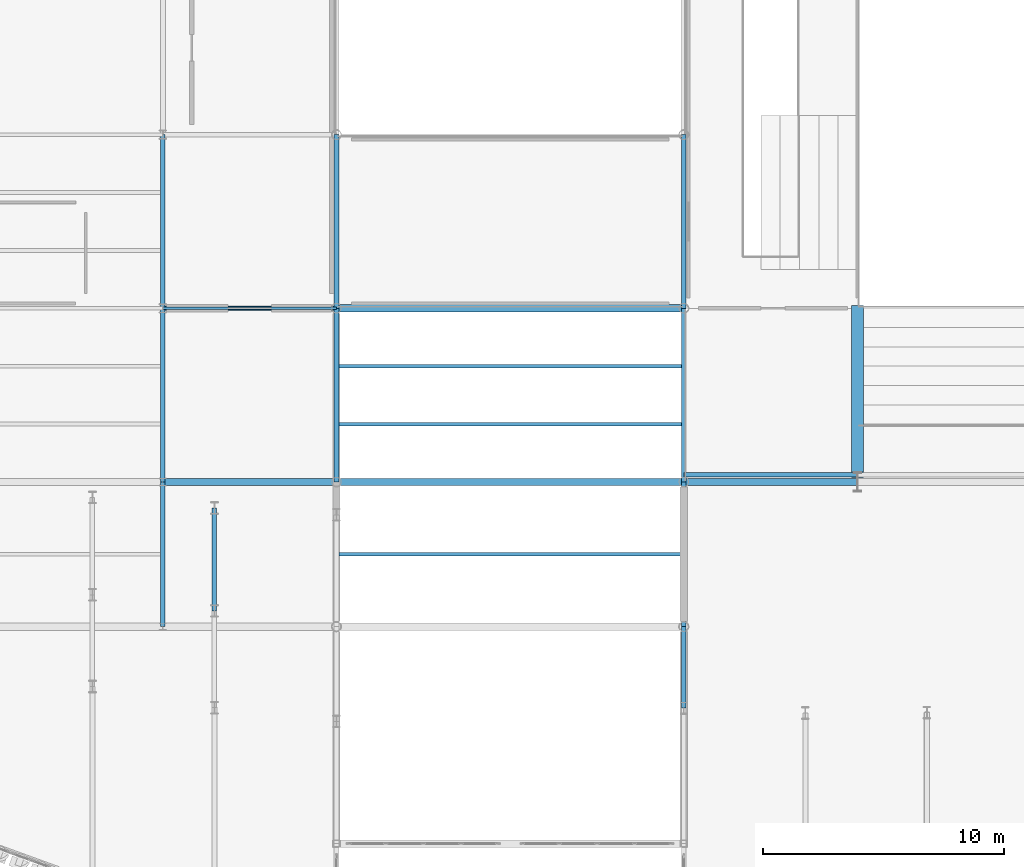
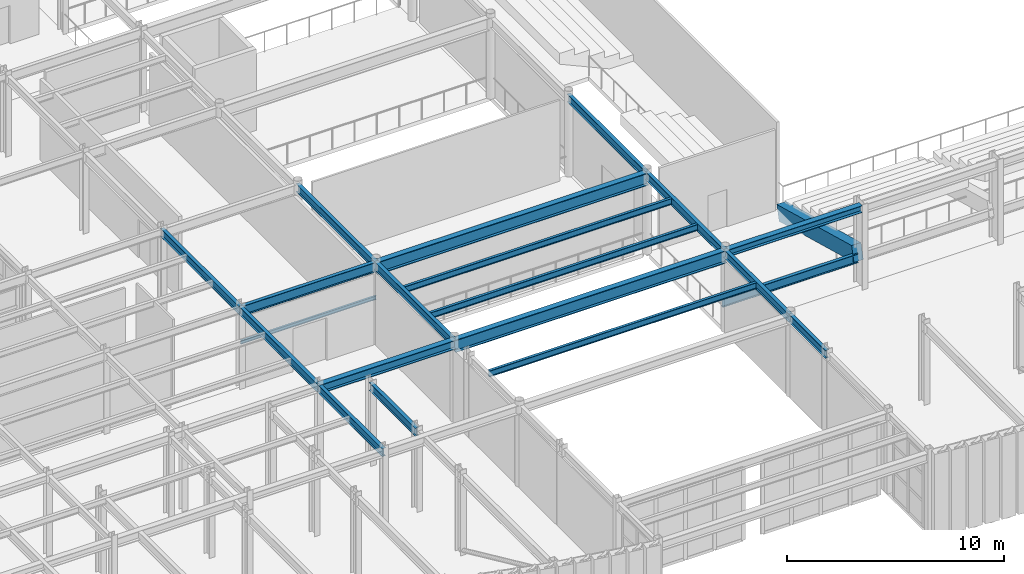
# One storey, part 45 of 121: 21 beams.
"""IFC4 building model written with IfcOpenShell, lengths in metres."""

from ifc_helpers import new_model, si_unit, direction, frame, origin, origin_2d, place, context, subcontext, project, spatial, rectangle, i_section, extrude, material, material_profile, profile_set, type_object, element, save


model = new_model("IFC4")

# Units and contexts
model_context = context("Model", 3, precision=1e-05, world=origin(), true_north=direction((0.0, 1.0)))
body_context = subcontext(model_context, "Body", "Model", "MODEL_VIEW")
ifc_project = project(units=[si_unit("LENGTHUNIT", "METRE"), si_unit("AREAUNIT", "SQUARE_METRE"), si_unit("VOLUMEUNIT", "CUBIC_METRE"), si_unit("PLANEANGLEUNIT", "RADIAN"), si_unit("MASSUNIT", "GRAM", prefix="KILO")], contexts=[model_context])

# Site, building, storey
site_placement = place(None, origin())
site = spatial("IfcSite", under=ifc_project, at=site_placement, CompositionType="ELEMENT")
building_placement = place(site_placement, origin())
building = spatial("IfcBuilding", under=site, at=building_placement, Name="Solvadek Multi-Sports Hall", CompositionType="ELEMENT")
storey_placement = place(building_placement, frame((0.0, 0.0, 4.800048828125)))
storey = spatial("IfcBuildingStorey", under=building, at=storey_placement, Name="L01", CompositionType="ELEMENT", Elevation=4.800048828125)

# Beams
ifc_material_1 = material(Name="Steel E350 (350 MPa)", Category="steel")
ifc_material_profile_1 = material_profile(ifc_material_1, i_section(OverallWidth=0.179931640625, OverallDepth=0.5, WebThickness=0.01025390625, FlangeThickness=0.01708984375, at=origin_2d()), Name="ISMB 500")
ifc_profile_set_1 = profile_set([ifc_material_profile_1], Name="Steel E350 (350 MPa)")
beam_type_1 = type_object("IfcBeamType", Name="STR-BM-ISMB500", PredefinedType="BEAM", material=ifc_profile_set_1)
beam_1_placement = place(storey_placement, frame((86.39990234375, 6.300048828125, 1.3798828125), z_axis=(1.0, 0.0, 0.0), x_axis=(0.0, 1.0, 0.0)))
element("IfcBeam", 1, at=beam_1_placement, inside=storey, type_object=beam_type_1, Name="L01 S Stand Raker Header Girder #1", PredefinedType="BEAM", context=body_context, shape_type="SweptSolid", body=[
    extrude(i_section(OverallWidth=0.179931640625, OverallDepth=0.5, WebThickness=0.01025390625, FlangeThickness=0.01708984375, at=origin_2d()), origin(), (0.0, 0.0, 1.0), 7.2001953125),
])
ifc_material_profile_2 = material_profile(ifc_material_1, i_section(OverallWidth=0.18994140625, OverallDepth=0.550048828125, WebThickness=0.01123046875, FlangeThickness=0.019287109375, at=origin_2d()), Name="ISMB 550")
ifc_profile_set_2 = profile_set([ifc_material_profile_2], Name="Steel E350 (350 MPa)")
beam_type_2 = type_object("IfcBeamType", Name="STR-BM-ISMB550", PredefinedType="BEAM", material=ifc_profile_set_2)
beam_2_placement = place(storey_placement, frame((64.800048828125, 13.199951171875, 4.284912109375), z_axis=(1.0, 0.0, 0.0), x_axis=(0.0, 1.0, 0.0)))
element("IfcBeam", 2, at=beam_2_placement, inside=storey, type_object=beam_type_2, Name="L01 Girder B-06 #967", PredefinedType="BEAM", context=body_context, shape_type="SweptSolid", body=[
    extrude(i_section(OverallWidth=0.18994140625, OverallDepth=0.550048828125, WebThickness=0.01123046875, FlangeThickness=0.019287109375, at=origin_2d()), origin(), (0.0, 0.0, 1.0), 7.199951171875),
])
ifc_material_profile_3 = material_profile(ifc_material_1, i_section(OverallWidth=0.18994140625, OverallDepth=0.449951171875, WebThickness=0.009521484375, FlangeThickness=0.0146484375, at=origin_2d()), Name="NPB 450")
ifc_profile_set_3 = profile_set([ifc_material_profile_3], Name="Steel E350 (350 MPa)")
beam_type_3 = type_object("IfcBeamType", Name="STR-BM-NPB450", PredefinedType="BEAM", material=ifc_profile_set_3)
beam_3_placement = place(storey_placement, frame((64.800048828125, 0.0, 4.3349609375), z_axis=(0.0, 1.0, 0.0), x_axis=(-1.0, 0.0, 0.0)))
element("IfcBeam", 3, at=beam_3_placement, inside=storey, type_object=beam_type_3, Name="L01 Girder B-08 #1227", PredefinedType="BEAM", context=body_context, shape_type="SweptSolid", body=[
    extrude(i_section(OverallWidth=0.18994140625, OverallDepth=0.449951171875, WebThickness=0.009521484375, FlangeThickness=0.0146484375, at=origin_2d()), origin(), (0.0, 0.0, 1.0), 6.0),
])
for number, where, z_axis, x_axis, name in (
    (4, (64.800048828125, 6.0, 4.3349609375), (0.0, 1.0, 0.0), (-1.0, 0.0, 0.0), "L01 Girder B-08 #1228"),
    (5, (64.800048828125, 13.199951171875, 4.3349609375), (0.0, 1.0, 0.0), (-1.0, 0.0, 0.0), "L01 Girder B-08 #1229"),
):
    element("IfcBeam", number, at=place(storey_placement, frame(where, z_axis=z_axis, x_axis=x_axis)), inside=storey, type_object=beam_type_3, Name=name, PredefinedType="BEAM", context=body_context, shape_type="SweptSolid", body=[
        extrude(i_section(OverallWidth=0.18994140625, OverallDepth=0.449951171875, WebThickness=0.009521484375, FlangeThickness=0.0146484375, at=origin_2d()), origin(), (0.0, 0.0, 1.0), 7.199951171875),
    ])
beam_4_placement = place(storey_placement, frame((66.939453125, 0.653076171875, 4.3349609375), z_axis=(0.0, 1.0, 0.0), x_axis=(-1.0, 0.0, 0.0)))
element("IfcBeam", 6, at=beam_4_placement, inside=storey, type_object=beam_type_3, Name="L01 Girder B-08 #1243", PredefinedType="BEAM", context=body_context, shape_type="SweptSolid", body=[
    extrude(i_section(OverallWidth=0.18994140625, OverallDepth=0.449951171875, WebThickness=0.009521484375, FlangeThickness=0.0146484375, at=origin_2d()), origin(), (0.0, 0.0, 1.0), 4.265869140625),
])
for number, where, z_axis, x_axis, name in (
    (7, (72.0, 6.0, 4.3349609375), (0.0, 1.0, 0.0), (-1.0, 0.0, 0.0), "L01 Girder B-08 #1248"),
    (8, (72.0, 13.199951171875, 4.3349609375), (0.0, 1.0, 0.0), (-1.0, 0.0, 0.0), "L01 Girder B-08 #1249"),
):
    element("IfcBeam", number, at=place(storey_placement, frame(where, z_axis=z_axis, x_axis=x_axis)), inside=storey, type_object=beam_type_3, Name=name, PredefinedType="BEAM", context=body_context, shape_type="SweptSolid", body=[
        extrude(i_section(OverallWidth=0.18994140625, OverallDepth=0.449951171875, WebThickness=0.009521484375, FlangeThickness=0.0146484375, at=origin_2d()), origin(), (0.0, 0.0, 1.0), 7.199951171875),
    ])
beam_5_placement = place(storey_placement, frame((86.39990234375, -3.37646484375, 4.3349609375), z_axis=(0.0, 1.0, 0.0), x_axis=(-1.0, 0.0, 0.0)))
element("IfcBeam", 9, at=beam_5_placement, inside=storey, type_object=beam_type_3, Name="L01 Girder B-08 #1264", PredefinedType="BEAM", context=body_context, shape_type="SweptSolid", body=[
    extrude(i_section(OverallWidth=0.18994140625, OverallDepth=0.449951171875, WebThickness=0.009521484375, FlangeThickness=0.0146484375, at=origin_2d()), origin(), (0.0, 0.0, 1.0), 3.37646484375),
])
beam_6_placement = place(storey_placement, frame((86.39990234375, 0.0, 4.3349609375), z_axis=(0.0, 1.0, 0.0), x_axis=(-1.0, 0.0, 0.0)))
element("IfcBeam", 10, at=beam_6_placement, inside=storey, type_object=beam_type_3, Name="L01 Girder B-08 #1265", PredefinedType="BEAM", context=body_context, shape_type="SweptSolid", body=[
    extrude(i_section(OverallWidth=0.18994140625, OverallDepth=0.449951171875, WebThickness=0.009521484375, FlangeThickness=0.0146484375, at=origin_2d()), origin(), (0.0, 0.0, 1.0), 6.0),
])
for number, where, z_axis, x_axis, name in (
    (11, (86.39990234375, 6.0, 4.3349609375), (0.0, 1.0, 0.0), (-1.0, 0.0, 0.0), "L01 Girder B-08 #1266"),
    (12, (86.39990234375, 13.199951171875, 4.3349609375), (0.0, 1.0, 0.0), (-1.0, 0.0, 0.0), "L01 Girder B-08 #1267"),
):
    element("IfcBeam", number, at=place(storey_placement, frame(where, z_axis=z_axis, x_axis=x_axis)), inside=storey, type_object=beam_type_3, Name=name, PredefinedType="BEAM", context=body_context, shape_type="SweptSolid", body=[
        extrude(i_section(OverallWidth=0.18994140625, OverallDepth=0.449951171875, WebThickness=0.009521484375, FlangeThickness=0.0146484375, at=origin_2d()), origin(), (0.0, 0.0, 1.0), 7.199951171875),
    ])
ifc_material_profile_4 = material_profile(ifc_material_1, i_section(OverallWidth=0.300048828125, OverallDepth=0.699951171875, WebThickness=0.01708984375, FlangeThickness=0.031982421875, at=origin_2d()), Name="WPB 700")
ifc_profile_set_4 = profile_set([ifc_material_profile_4], Name="Steel E350 (350 MPa)")
beam_type_4 = type_object("IfcBeamType", Name="STR-BM-WPB700", PredefinedType="BEAM", material=ifc_profile_set_4)
for number, where, z_axis, x_axis, name in (
    (13, (72.0, 6.0, 4.2099609375), (1.0, 0.0, 0.0), (0.0, 1.0, 0.0), "L01 Low Roof Girder B-01 #1"),
    (14, (72.0, 13.199951171875, 4.2099609375), (1.0, 0.0, 0.0), (0.0, 1.0, 0.0), "L01 Low Roof Girder B-01 #2"),
):
    element("IfcBeam", number, at=place(storey_placement, frame(where, z_axis=z_axis, x_axis=x_axis)), inside=storey, type_object=beam_type_4, Name=name, PredefinedType="BEAM", context=body_context, shape_type="SweptSolid", body=[
        extrude(i_section(OverallWidth=0.300048828125, OverallDepth=0.699951171875, WebThickness=0.01708984375, FlangeThickness=0.031982421875, at=origin_2d()), origin(), (0.0, 0.0, 1.0), 14.39990234375),
    ])
ifc_material_profile_5 = material_profile(ifc_material_1, i_section(OverallWidth=0.139892578125, OverallDepth=0.35009765625, WebThickness=0.008056640625, FlangeThickness=0.01416015625, at=origin_2d()), Name="ISMB 350")
ifc_profile_set_5 = profile_set([ifc_material_profile_5], Name="Steel E350 (350 MPa)")
beam_type_5 = type_object("IfcBeamType", Name="STR-JST-ISMB350", PredefinedType="JOIST", material=ifc_profile_set_5)
for number, where, z_axis, x_axis, name in (
    (15, (72.094970703125, 3.0, 4.385009765625), (1.0, 0.0, 0.0), (0.0, 1.0, 0.0), "L01 Low Roof Composite Joist J-01 #1"),
    (16, (72.094970703125, 8.39990234375, 4.385009765625), (1.0, 0.0, 0.0), (0.0, 1.0, 0.0), "L01 Low Roof Composite Joist J-01 #2"),
    (17, (72.094970703125, 10.800048828125, 4.385009765625), (1.0, 0.0, 0.0), (0.0, 1.0, 0.0), "L01 Low Roof Composite Joist J-01 #3"),
):
    element("IfcBeam", number, at=place(storey_placement, frame(where, z_axis=z_axis, x_axis=x_axis)), inside=storey, type_object=beam_type_5, Name=name, PredefinedType="JOIST", context=body_context, shape_type="SweptSolid", body=[
        extrude(i_section(OverallWidth=0.139892578125, OverallDepth=0.35009765625, WebThickness=0.008056640625, FlangeThickness=0.01416015625, at=origin_2d()), origin(), (0.0, 0.0, 1.0), 14.2099609375),
    ])
ifc_material_2 = material(Name="Steel E250 (250 MPa)", Category="steel")
ifc_material_profile_6 = material_profile(ifc_material_2, i_section(OverallWidth=0.10009765625, OverallDepth=0.199951171875, WebThickness=0.005615234375, FlangeThickness=0.0107421875, at=origin_2d()), Name="ISMB 200")
ifc_profile_set_6 = profile_set([ifc_material_profile_6], Name="Steel E250 (250 MPa)")
beam_type_6 = type_object("IfcBeamType", Name="STR-LIN-ISMB200", PredefinedType="LINTEL", material=ifc_profile_set_6)
beam_7_placement = place(storey_placement, frame((64.800048828125, 13.199951171875, 2.52001953125), z_axis=(1.0, 0.0, 0.0), x_axis=(0.0, 1.0, 0.0)))
element("IfcBeam", 18, at=beam_7_placement, inside=storey, type_object=beam_type_6, Name="L01 Opening Lintel #22", PredefinedType="LINTEL", context=body_context, shape_type="SweptSolid", body=[
    extrude(i_section(OverallWidth=0.10009765625, OverallDepth=0.199951171875, WebThickness=0.005615234375, FlangeThickness=0.0107421875, at=origin_2d()), origin(), (0.0, 0.0, 1.0), 7.199951171875),
])
ifc_material_3 = material(Name="Concrete M40", Category="concrete")
ifc_material_profile_7 = material_profile(ifc_material_3, rectangle(XDim=0.5, YDim=0.85009765625, at=origin_2d()), Name="RC RAKER 500x850")
ifc_profile_set_7 = profile_set([ifc_material_profile_7], Name="Concrete M40")
beam_type_7 = type_object("IfcBeamType", Name="STR-RAK-RC500", PredefinedType="USERDEFINED", material=ifc_profile_set_7)
beam_8_placement = place(storey_placement, frame((93.60009765625, 13.199951171875, -0.219970703125), z_axis=(0.0, -0.965185787427, 0.26156528009), x_axis=(1.0, 0.0, 0.0)))
element("IfcBeam", 19, at=beam_8_placement, inside=storey, type_object=beam_type_7, Name="South Stand Raker Beam #1", ObjectType="RAKER BEAM", PredefinedType="USERDEFINED", context=body_context, shape_type="SweptSolid", body=[
    extrude(rectangle(XDim=0.5, YDim=0.85009765625, at=origin_2d()), origin(), (0.0, 0.0, 1.0), 7.148681640625),
])
ifc_material_profile_8 = material_profile(ifc_material_1, i_section(OverallWidth=0.300048828125, OverallDepth=0.39990234375, WebThickness=0.013427734375, FlangeThickness=0.02392578125, at=origin_2d()), Name="WPB 400")
ifc_profile_set_8 = profile_set([ifc_material_profile_8], Name="Steel E350 (350 MPa)")
beam_type_8 = type_object("IfcBeamType", Name="STR-SPN-WPB400", PredefinedType="SPANDREL", material=ifc_profile_set_8)
beam_9_placement = place(storey_placement, frame((86.39990234375, 6.0, 4.35986328125), z_axis=(1.0, 0.0, 0.0), x_axis=(0.0, 1.0, 0.0)))
element("IfcBeam", 20, at=beam_9_placement, inside=storey, type_object=beam_type_8, Name="L01 Girder SP-02 #956", PredefinedType="SPANDREL", context=body_context, shape_type="SweptSolid", body=[
    extrude(i_section(OverallWidth=0.300048828125, OverallDepth=0.39990234375, WebThickness=0.013427734375, FlangeThickness=0.02392578125, at=origin_2d()), origin(), (0.0, 0.0, 1.0), 7.2001953125),
])
ifc_material_profile_9 = material_profile(ifc_material_1, i_section(OverallWidth=0.300048828125, OverallDepth=0.5, WebThickness=0.014404296875, FlangeThickness=0.028076171875, at=origin_2d()), Name="WPB 500")
ifc_profile_set_9 = profile_set([ifc_material_profile_9], Name="Steel E350 (350 MPa)")
beam_type_9 = type_object("IfcBeamType", Name="STR-SPN-WPB500", PredefinedType="SPANDREL", material=ifc_profile_set_9)
beam_10_placement = place(storey_placement, frame((64.800048828125, 6.0, 4.31005859375), z_axis=(1.0, 0.0, 0.0), x_axis=(0.0, 1.0, 0.0)))
element("IfcBeam", 21, at=beam_10_placement, inside=storey, type_object=beam_type_9, Name="L01 Girder SP-01 #955", PredefinedType="SPANDREL", context=body_context, shape_type="SweptSolid", body=[
    extrude(i_section(OverallWidth=0.300048828125, OverallDepth=0.5, WebThickness=0.014404296875, FlangeThickness=0.028076171875, at=origin_2d()), origin(), (0.0, 0.0, 1.0), 7.199951171875),
])

save(model, "model.ifc")
